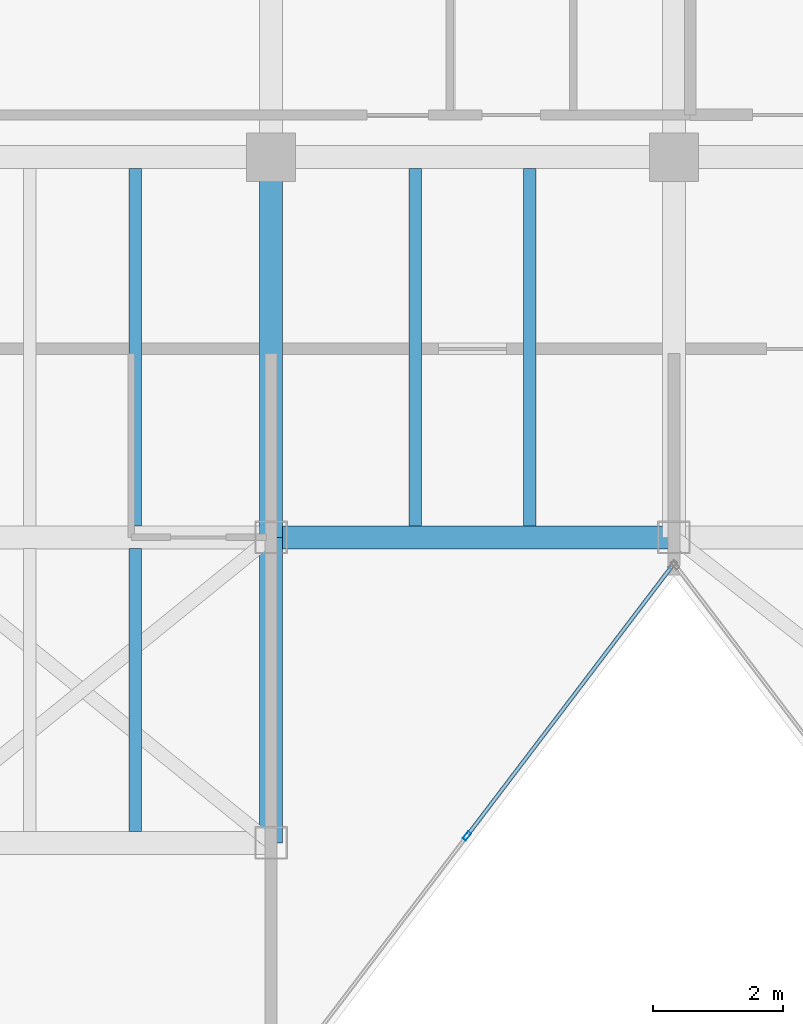
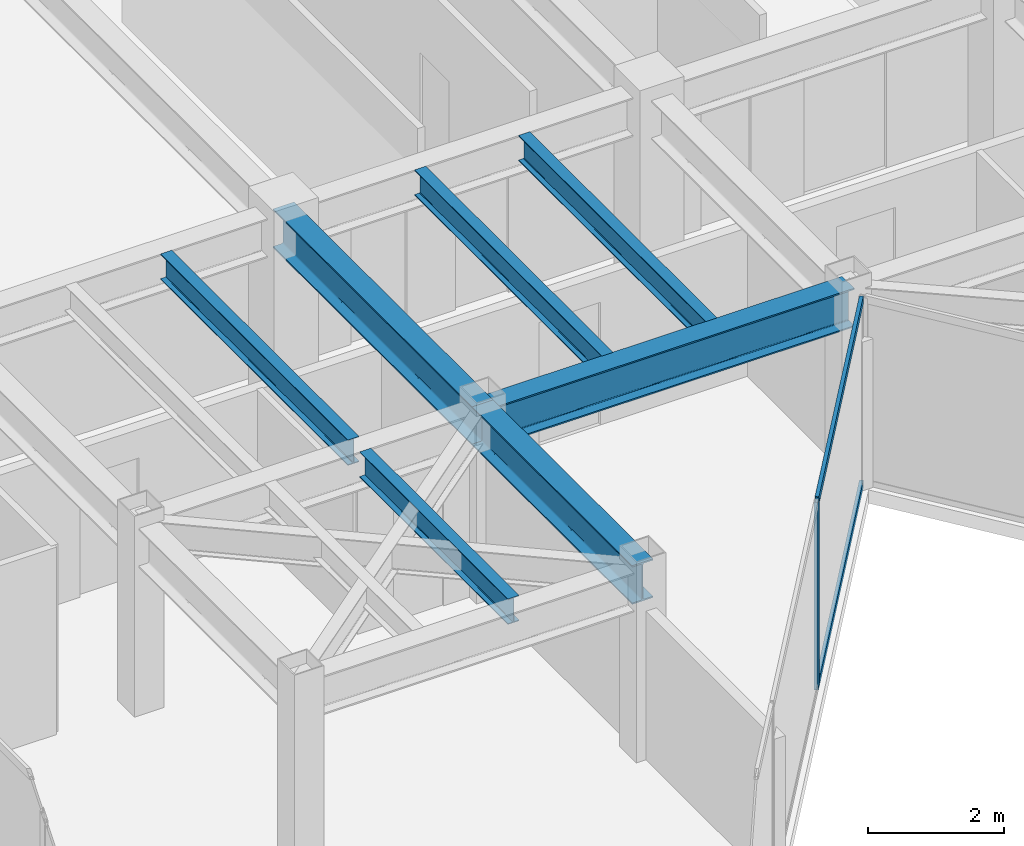
# One storey, part 5 of 19: 7 beams, 3 members, 1 element without a shape of its own.
"""IFC4 building model written with IfcOpenShell, lengths in metres."""

from ifc_helpers import new_model, si_unit, direction, frame, origin, origin_2d, place, context, subcontext, project, spatial, hollow_rectangle, i_section, extrude, material, layer, layer_set, material_profile, profile_set, type_object, element, aggregate, save


model = new_model("IFC4")

# Units and contexts
model_context = context("Model", 3, precision=1e-05, world=origin(), true_north=direction((0.0, 1.0)))
body_context = subcontext(model_context, "Body", "Model", "MODEL_VIEW")
ifc_project = project(units=[si_unit("LENGTHUNIT", "METRE"), si_unit("AREAUNIT", "SQUARE_METRE"), si_unit("VOLUMEUNIT", "CUBIC_METRE"), si_unit("PLANEANGLEUNIT", "RADIAN"), si_unit("MASSUNIT", "GRAM", prefix="KILO")], contexts=[model_context])

# Site, building, storey
site_placement = place(None, origin())
site = spatial("IfcSite", under=ifc_project, at=site_placement, CompositionType="ELEMENT")
building_placement = place(site_placement, origin())
building = spatial("IfcBuilding", under=site, at=building_placement, Name="Kravanh Interchange Tower", CompositionType="ELEMENT")
storey_placement = place(building_placement, frame((0.0, 0.0, 267.0)))
storey = spatial("IfcBuildingStorey", under=building, at=storey_placement, Name="L65", CompositionType="ELEMENT", Elevation=267.0)

# Curtain wall, members
ifc_material_1 = material(Name="Anodised Bronze Aluminium", Category="aluminium")
ifc_layer = layer(ifc_material_1, 0.179931640625)
ifc_layer_set = layer_set([ifc_layer], Name="Unitised Curtain Wall System CW-HTL Luxury Hotel")
curtain_wall_type = type_object("IfcCurtainWallType", Name="Unitised Curtain Wall System CW-HTL Luxury Hotel", PredefinedType="NOTDEFINED", material=ifc_layer_set)
curtain_wall_placement = place(storey_placement, origin())
curtain_wall = element("IfcCurtainWall", 1, at=curtain_wall_placement, inside=storey, type_object=curtain_wall_type, Name="L65 Unitised Curtain Wall CW-L65-05", PredefinedType="NOTDEFINED")
ifc_material_2 = material(Name="Anodised Bronze Aluminium", Category="aluminium")
ifc_material_profile_1 = material_profile(ifc_material_2, hollow_rectangle(XDim=0.06005859375, YDim=0.139892578125, WallThickness=0.00390625, at=origin_2d()), Name="ALU60X140X4")
ifc_profile_set_1 = profile_set([ifc_material_profile_1], Name="Anodised Bronze Aluminium")
member_type_1 = type_object("IfcMemberType", Name="Curtain Wall Mullion ALU60X140X4 Bronze", PredefinedType="MULLION", material=ifc_profile_set_1)
member_1_placement = place(storey_placement, frame((41.613525390625, 26.905517578125, 0.0), z_axis=(0.0, 0.0, 1.0), x_axis=(0.79616243806, -0.605082946564, 0.0)))
member_1 = element("IfcMember", 2, at=member_1_placement, type_object=member_type_1, Name="CW-HTL mullion 2", PredefinedType="MULLION", context=body_context, shape_type="SweptSolid", body=[
    extrude(hollow_rectangle(XDim=0.06005859375, YDim=0.139892578125, WallThickness=0.00390625, at=origin_2d()), origin(), (0.0, 0.0, 1.0), 3.360107421875),
])
ifc_material_3 = material(Name="Anodised Bronze Aluminium", Category="aluminium")
ifc_material_profile_2 = material_profile(ifc_material_3, hollow_rectangle(XDim=0.06005859375, YDim=0.139892578125, WallThickness=0.00390625, at=origin_2d()), Name="ALU60X140X4")
ifc_profile_set_2 = profile_set([ifc_material_profile_2], Name="Anodised Bronze Aluminium")
member_type_2 = type_object("IfcMemberType", Name="Curtain Wall Transom ALU60X140X4 Bronze", PredefinedType="USERDEFINED", material=ifc_profile_set_2)
member_2_placement = place(storey_placement, frame((44.763671875, 31.050537109375, 0.030029296875), z_axis=(-0.605089246946, -0.796157649734, 0.0), x_axis=(0.796157649734, -0.605089246946, 0.0)))
member_2 = element("IfcMember", 3, at=member_2_placement, type_object=member_type_2, Name="CW-HTL transom 1.1", ObjectType="TRANSOM", PredefinedType="USERDEFINED", context=body_context, shape_type="SweptSolid", body=[
    extrude(hollow_rectangle(XDim=0.06005859375, YDim=0.139892578125, WallThickness=0.00390625, at=origin_2d()), origin(), (0.0, 0.0, 1.0), 5.17626953125),
])
member_3_placement = place(storey_placement, frame((44.763671875, 31.050537109375, 3.330078125), z_axis=(-0.605089246946, -0.796157649734, 0.0), x_axis=(0.796157649734, -0.605089246946, 0.0)))
member_3 = element("IfcMember", 4, at=member_3_placement, type_object=member_type_2, Name="CW-HTL transom 1.2", ObjectType="TRANSOM", PredefinedType="USERDEFINED", context=body_context, shape_type="SweptSolid", body=[
    extrude(hollow_rectangle(XDim=0.06005859375, YDim=0.139892578125, WallThickness=0.00390625, at=origin_2d()), origin(), (0.0, 0.0, 1.0), 5.17626953125),
])
aggregate(curtain_wall, [member_1, member_2, member_3])

# Beams
ifc_material_4 = material(Name="Structural Steel S355", Category="steel")
ifc_material_profile_3 = material_profile(ifc_material_4, i_section(OverallWidth=0.35498046875, OverallDepth=0.696044921875, WebThickness=0.015380859375, FlangeThickness=0.02490234375, FilletRadius=0.02392578125, at=origin_2d()), Name="W27X146")
ifc_profile_set_3 = profile_set([ifc_material_profile_3], Name="Structural Steel S355")
beam_type_1 = type_object("IfcBeamType", Name="Floor Beam W27X146 Structural Steel S355", PredefinedType="BEAM", material=ifc_profile_set_3)
beam_1_placement = place(storey_placement, frame((44.800048828125, 31.5, 3.011962890625), z_axis=(-1.0, 0.0, 0.0), x_axis=(0.0, -1.0, 0.0)))
element("IfcBeam", 5, at=beam_1_placement, inside=storey, type_object=beam_type_1, Name="L65 Primary Floor Girder 3", PredefinedType="BEAM", context=body_context, shape_type="SweptSolid", body=[
    extrude(i_section(OverallWidth=0.35498046875, OverallDepth=0.696044921875, WebThickness=0.015380859375, FlangeThickness=0.02490234375, FilletRadius=0.02392578125, at=origin_2d()), origin(), (0.0, 0.0, 1.0), 6.199951171875),
])
beam_2_placement = place(storey_placement, frame((38.60009765625, 31.5, 3.011962890625), z_axis=(0.0, -1.0, 0.0), x_axis=(1.0, 0.0, 0.0)))
element("IfcBeam", 6, at=beam_2_placement, inside=storey, type_object=beam_type_1, Name="L65 Primary Floor Girder 17", PredefinedType="BEAM", context=body_context, shape_type="SweptSolid", body=[
    extrude(i_section(OverallWidth=0.35498046875, OverallDepth=0.696044921875, WebThickness=0.015380859375, FlangeThickness=0.02490234375, FilletRadius=0.02392578125, at=origin_2d()), origin(), (0.0, 0.0, 1.0), 4.699951171875),
])
beam_3_placement = place(storey_placement, frame((38.60009765625, 31.5, 3.011962890625), z_axis=(0.0, 1.0, 0.0), x_axis=(-1.0, 0.0, 0.0)))
element("IfcBeam", 7, at=beam_3_placement, inside=storey, type_object=beam_type_1, Name="L65 Primary Floor Girder 19", PredefinedType="BEAM", context=body_context, shape_type="SweptSolid", body=[
    extrude(i_section(OverallWidth=0.35498046875, OverallDepth=0.696044921875, WebThickness=0.015380859375, FlangeThickness=0.02490234375, FilletRadius=0.02392578125, at=origin_2d()), origin(), (0.0, 0.0, 1.0), 5.85009765625),
])
ifc_material_5 = material(Name="Structural Steel S355", Category="steel")
ifc_material_profile_4 = material_profile(ifc_material_5, i_section(OverallWidth=0.18994140625, OverallDepth=0.45703125, WebThickness=0.009033203125, FlangeThickness=0.014404296875, FilletRadius=0.01806640625, at=origin_2d()), Name="W18X50")
ifc_profile_set_4 = profile_set([ifc_material_profile_4], Name="Structural Steel S355")
beam_type_2 = type_object("IfcBeamType", Name="Floor Joist W18X50 Structural Steel S355", PredefinedType="JOIST", material=ifc_profile_set_4)
beam_4_placement = place(storey_placement, frame((36.510009765625, 26.972412109375, 3.131591796875), z_axis=(0.0, 1.0, 0.0), x_axis=(-1.0, 0.0, 0.0)))
element("IfcBeam", 8, at=beam_4_placement, inside=storey, type_object=beam_type_2, Name="L65 Secondary Floor Joist 4", PredefinedType="JOIST", context=body_context, shape_type="SweptSolid", body=[
    extrude(i_section(OverallWidth=0.18994140625, OverallDepth=0.45703125, WebThickness=0.009033203125, FlangeThickness=0.014404296875, FilletRadius=0.01806640625, at=origin_2d()), origin(), (0.0, 0.0, 1.0), 4.35498046875),
])
for number, where, z_axis, x_axis, name in (
    (9, (36.510009765625, 31.672607421875, 3.131591796875), (0.0, 1.0, 0.0), (-1.0, 0.0, 0.0), "L65 Secondary Floor Joist 10"),
    (10, (40.818115234375, 31.672607421875, 3.131591796875), (0.0, 1.0, 0.0), (-1.0, 0.0, 0.0), "L65 Secondary Floor Joist 11"),
    (11, (42.58203125, 31.672607421875, 3.131591796875), (0.0, 1.0, 0.0), (-1.0, 0.0, 0.0), "L65 Secondary Floor Joist 12"),
):
    element("IfcBeam", number, at=place(storey_placement, frame(where, z_axis=z_axis, x_axis=x_axis)), inside=storey, type_object=beam_type_2, Name=name, PredefinedType="JOIST", context=body_context, shape_type="SweptSolid", body=[
        extrude(i_section(OverallWidth=0.18994140625, OverallDepth=0.45703125, WebThickness=0.009033203125, FlangeThickness=0.014404296875, FilletRadius=0.01806640625, at=origin_2d()), origin(), (0.0, 0.0, 1.0), 5.5048828125),
    ])

save(model, "model.ifc")
